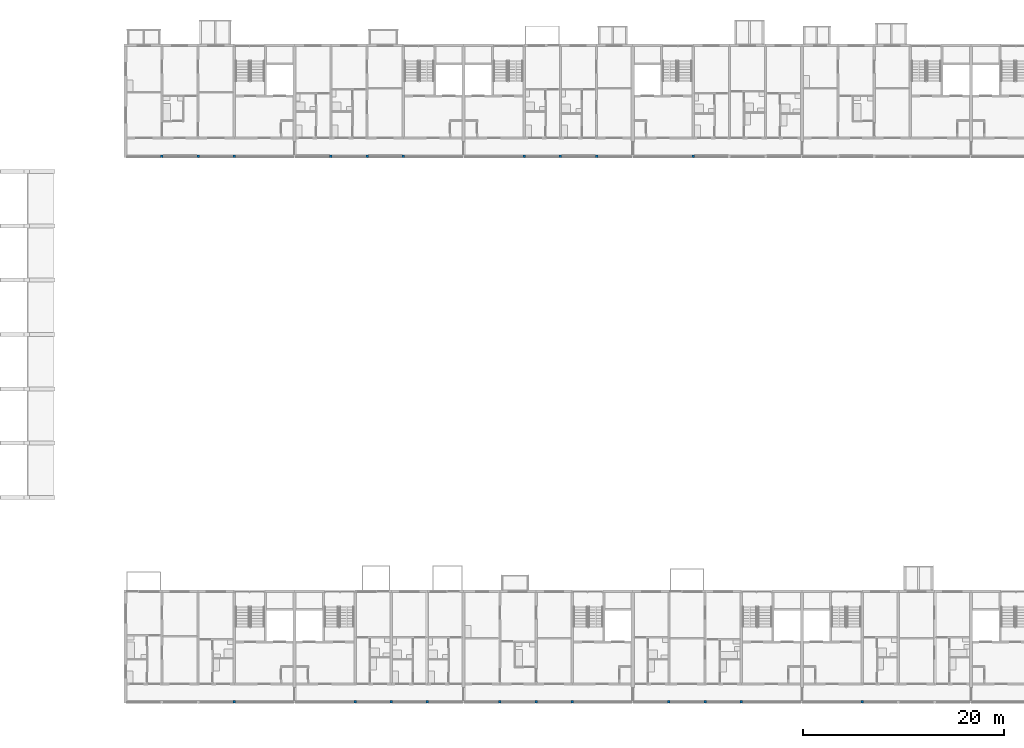
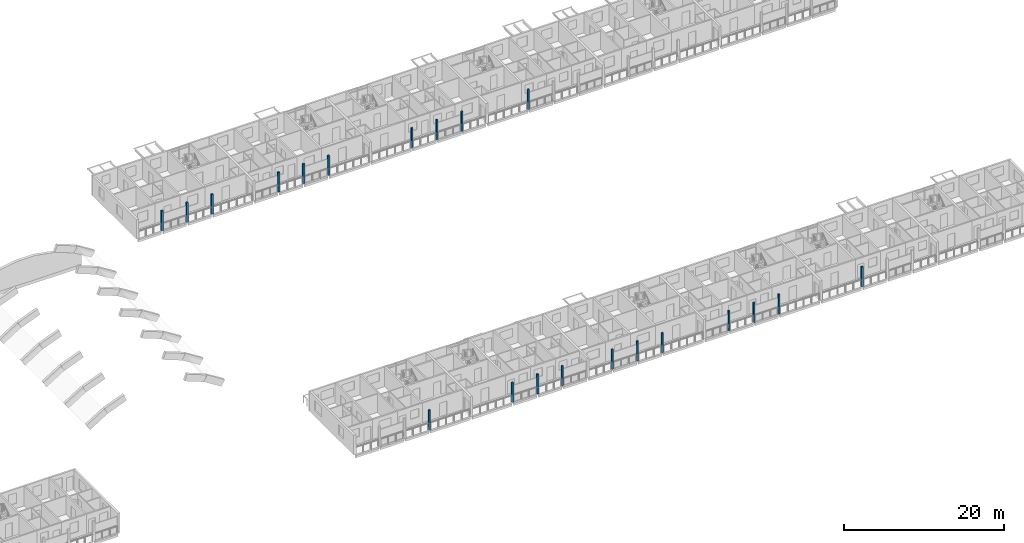
# One storey, part 3 of 99: 21 columns.
"""IFC4 building model written with IfcOpenShell, lengths in metres."""

from ifc_helpers import new_model, si_unit, direction, frame, origin, origin_2d, place, context, subcontext, project, spatial, rectangle, extrude, material, material_profile, profile_set, type_object, element, save


model = new_model("IFC4")

# Units and contexts
model_context = context("Model", 3, precision=1e-05, world=origin(), true_north=direction((0.0, 1.0)))
body_context = subcontext(model_context, "Body", "Model", "MODEL_VIEW")
ifc_project = project(units=[si_unit("LENGTHUNIT", "METRE"), si_unit("AREAUNIT", "SQUARE_METRE"), si_unit("VOLUMEUNIT", "CUBIC_METRE"), si_unit("PLANEANGLEUNIT", "RADIAN"), si_unit("MASSUNIT", "GRAM", prefix="KILO")], contexts=[model_context])

# Site, building, storey
site_placement = place(None, origin())
site = spatial("IfcSite", under=ifc_project, at=site_placement, CompositionType="ELEMENT")
building_placement = place(site_placement, origin())
building = spatial("IfcBuilding", under=site, at=building_placement, Name="Ridgestep Commons", CompositionType="ELEMENT")
storey_placement = place(building_placement, frame((0.0, 0.0, 15.0)))
storey = spatial("IfcBuildingStorey", under=building, at=storey_placement, Name="L05", CompositionType="ELEMENT", Elevation=15.0)

# Columns
ifc_material = material(Name="Precast concrete C40/50", Category="concrete")
ifc_material_profile = material_profile(ifc_material, rectangle(XDim=0.25, YDim=0.25, at=origin_2d()), Name="PC 250x250")
ifc_profile_set = profile_set([ifc_material_profile], Name="Precast concrete C40/50")
column_type = type_object("IfcColumnType", Name="Loggia column 250 x 250", PredefinedType="COLUMN", material=ifc_profile_set)
for number, where, z_axis, x_axis, name in (
    (1, (150.39990234375, 66.125, 0.0), (0.0, 0.0, 1.0), (1.0, 0.0, 0.0), "Loggia column C L05"),
    (2, (154.0, 66.125, 0.0), (0.0, 0.0, 1.0), (1.0, 0.0, 0.0), "Loggia column C L05"),
    (3, (157.60009765625, 66.125, 0.0), (0.0, 0.0, 1.0), (1.0, 0.0, 0.0), "Loggia column C L05"),
    (4, (167.199951171875, 66.125, 0.0), (0.0, 0.0, 1.0), (1.0, 0.0, 0.0), "Loggia column C L05"),
    (5, (170.800048828125, 66.125, 0.0), (0.0, 0.0, 1.0), (1.0, 0.0, 0.0), "Loggia column C L05"),
    (6, (174.39990234375, 66.125, 0.0), (0.0, 0.0, 1.0), (1.0, 0.0, 0.0), "Loggia column C L05"),
    (7, (186.39990234375, 66.125, 0.0), (0.0, 0.0, 1.0), (1.0, 0.0, 0.0), "Loggia column C L05"),
    (8, (190.0, 66.125, 0.0), (0.0, 0.0, 1.0), (1.0, 0.0, 0.0), "Loggia column C L05"),
    (9, (193.60009765625, 66.125, 0.0), (0.0, 0.0, 1.0), (1.0, 0.0, 0.0), "Loggia column C L05"),
    (10, (203.199951171875, 66.125, 0.0), (0.0, 0.0, 1.0), (1.0, 0.0, 0.0), "Loggia column C L05"),
    (11, (157.60009765625, 11.875, 0.0), (0.0, 0.0, 1.0), (1.0, 0.0, 0.0), "Loggia column D L05"),
    (12, (169.60009765625, 11.875, 0.0), (0.0, 0.0, 1.0), (1.0, 0.0, 0.0), "Loggia column D L05"),
    (13, (173.199951171875, 11.875, 0.0), (0.0, 0.0, 1.0), (1.0, 0.0, 0.0), "Loggia column D L05"),
    (14, (176.800048828125, 11.875, 0.0), (0.0, 0.0, 1.0), (1.0, 0.0, 0.0), "Loggia column D L05"),
    (15, (184.0, 11.875, 0.0), (0.0, 0.0, 1.0), (1.0, 0.0, 0.0), "Loggia column D L05"),
    (16, (187.60009765625, 11.875, 0.0), (0.0, 0.0, 1.0), (1.0, 0.0, 0.0), "Loggia column D L05"),
    (17, (191.199951171875, 11.875, 0.0), (0.0, 0.0, 1.0), (1.0, 0.0, 0.0), "Loggia column D L05"),
    (18, (200.800048828125, 11.875, 0.0), (0.0, 0.0, 1.0), (1.0, 0.0, 0.0), "Loggia column D L05"),
    (19, (204.39990234375, 11.875, 0.0), (0.0, 0.0, 1.0), (1.0, 0.0, 0.0), "Loggia column D L05"),
    (20, (208.0, 11.875, 0.0), (0.0, 0.0, 1.0), (1.0, 0.0, 0.0), "Loggia column D L05"),
    (21, (220.0, 11.875, 0.0), (0.0, 0.0, 1.0), (1.0, 0.0, 0.0), "Loggia column D L05"),
):
    element("IfcColumn", number, at=place(storey_placement, frame(where, z_axis=z_axis, x_axis=x_axis)), inside=storey, type_object=column_type, Name=name, PredefinedType="COLUMN", context=body_context, shape_type="SweptSolid", body=[
        extrude(rectangle(XDim=0.25, YDim=0.25, at=origin_2d()), origin(), (0.0, 0.0, 1.0), 3.0),
    ])

save(model, "model.ifc")
